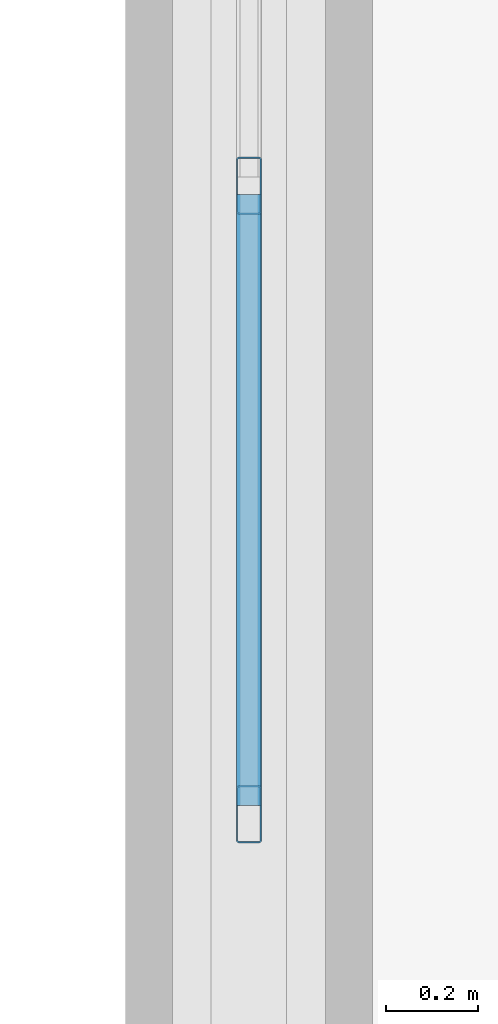
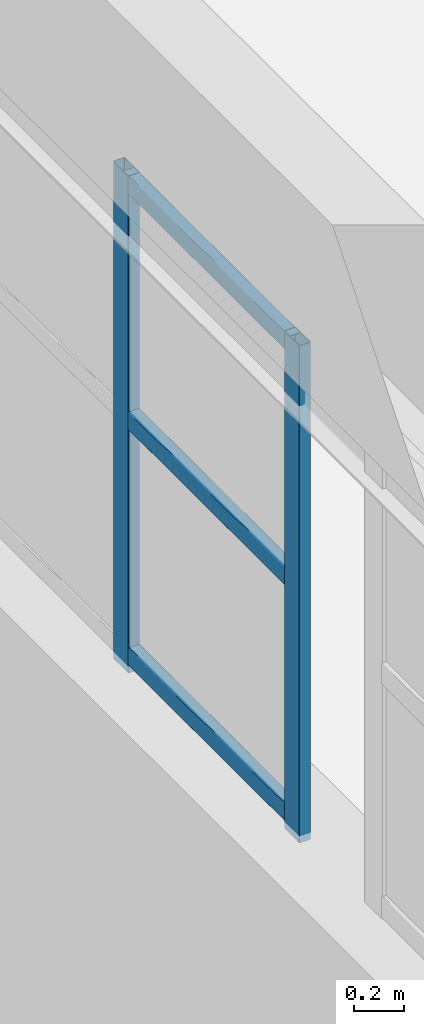
# One storey, part 43 of 97: 5 members, 1 element without a shape of its own.
"""IFC4 building model written with IfcOpenShell, lengths in metres."""

from ifc_helpers import new_model, si_unit, derived_unit, direction, frame, origin, origin_2d, place, context, subcontext, project, spatial, hollow_rectangle, extrude, material, layer, layer_set, material_profile, profile_set, type_object, element, aggregate, save


model = new_model("IFC4")

# Units and contexts
model_context = context("Model", 3, precision=1e-05, world=origin(), true_north=direction((0.0, 1.0)))
body_context = subcontext(model_context, "Body", "Model", "MODEL_VIEW")
ifc_project = project(units=[si_unit("LENGTHUNIT", "METRE"), si_unit("AREAUNIT", "SQUARE_METRE"), si_unit("VOLUMEUNIT", "CUBIC_METRE"), si_unit("PLANEANGLEUNIT", "RADIAN"), si_unit("MASSUNIT", "GRAM", prefix="KILO"), derived_unit("THERMALTRANSMITTANCEUNIT", [(si_unit("POWERUNIT", "WATT"), 1), (si_unit("LENGTHUNIT", "METRE"), -2), (si_unit("THERMODYNAMICTEMPERATUREUNIT", "KELVIN"), -1)])], contexts=[model_context])

# Site, building, storey
site_placement = place(None, origin())
site = spatial("IfcSite", under=ifc_project, at=site_placement, CompositionType="ELEMENT")
building_placement = place(site_placement, origin())
building = spatial("IfcBuilding", under=site, at=building_placement, Name="Almenara Railside Exhibition Hall", CompositionType="ELEMENT")
storey_placement = place(building_placement, frame((0.0, 0.0, 10.800048828125)))
storey = spatial("IfcBuildingStorey", under=building, at=storey_placement, Name="L02", CompositionType="ELEMENT", Elevation=10.800048828125)

# Curtain wall, members
ifc_material_1 = material(Name="Bronze-anodised aluminium and low-E double glazing", Category="aluminium")
ifc_layer = layer(ifc_material_1, 0.179931640625, Name="Bronze-anodised aluminium and low-E double glazing")
ifc_layer_set = layer_set([ifc_layer], Name="Bronze-anodised aluminium and low-E double glazing")
curtain_wall_type = type_object("IfcCurtainWallType", Name="West Hall Clerestory Curtain Wall 4200x2400", PredefinedType="NOTDEFINED", material=ifc_layer_set)
curtain_wall_placement = place(storey_placement, origin())
curtain_wall = element("IfcCurtainWall", 1, at=curtain_wall_placement, inside=storey, type_object=curtain_wall_type, Name="Curtain wall CW-CL1-018", PredefinedType="NOTDEFINED")
ifc_material_2 = material(Name="Bronze-anodised aluminium", Category="aluminium")
ifc_material_profile_1 = material_profile(ifc_material_2, hollow_rectangle(XDim=0.054931640625, YDim=0.125, WallThickness=0.0029296875, InnerFilletRadius=0.0029296875, OuterFilletRadius=0.006103515625, at=origin_2d()), Name="ALU-MUL 55x125x3")
ifc_profile_set_1 = profile_set([ifc_material_profile_1], Name="Bronze-anodised aluminium")
member_type_1 = type_object("IfcMemberType", Name="Curtain Wall Mullion 55x125x3", PredefinedType="MULLION", material=ifc_profile_set_1)
member_1_placement = place(storey_placement, frame((12.0, 102.327392578125, 4.56494140625), z_axis=(0.0, 0.0, 1.0), x_axis=(-1.0, 0.0, 0.0)))
member_1 = element("IfcMember", 2, at=member_1_placement, type_object=member_type_1, Name="CW-CL1-018 mullion 1", PredefinedType="MULLION", context=body_context, shape_type="SweptSolid", body=[
    extrude(hollow_rectangle(XDim=0.054931640625, YDim=0.125, WallThickness=0.0029296875, InnerFilletRadius=0.0029296875, OuterFilletRadius=0.006103515625, at=origin_2d()), origin(), (0.0, 0.0, 1.0), 2.43505859375),
])
member_2_placement = place(storey_placement, frame((12.0, 103.699951171875, 4.56494140625), z_axis=(0.0, 0.0, 1.0), x_axis=(-1.0, 0.0, 0.0)))
member_2 = element("IfcMember", 3, at=member_2_placement, type_object=member_type_1, Name="CW-CL1-018 mullion 2", PredefinedType="MULLION", context=body_context, shape_type="SweptSolid", body=[
    extrude(hollow_rectangle(XDim=0.054931640625, YDim=0.125, WallThickness=0.0029296875, InnerFilletRadius=0.0029296875, OuterFilletRadius=0.006103515625, at=origin_2d()), origin(), (0.0, 0.0, 1.0), 2.43505859375),
])
ifc_material_profile_2 = material_profile(ifc_material_2, hollow_rectangle(XDim=0.054931640625, YDim=0.090087890625, WallThickness=0.0029296875, InnerFilletRadius=0.0029296875, OuterFilletRadius=0.006103515625, at=origin_2d()), Name="ALU-TRN 55x90x3")
ifc_profile_set_2 = profile_set([ifc_material_profile_2], Name="Bronze-anodised aluminium")
member_type_2 = type_object("IfcMemberType", Name="Curtain Wall Transom 55x90x3", PredefinedType="USERDEFINED", material=ifc_profile_set_2)
member_3_placement = place(storey_placement, frame((12.0, 102.346923828125, 4.64501953125), z_axis=(0.0, 1.0, 0.0), x_axis=(-1.0, 0.0, 0.0)))
member_3 = element("IfcMember", 4, at=member_3_placement, type_object=member_type_2, Name="CW-CL1-018 transom 1.1", ObjectType="TRANSOM", PredefinedType="USERDEFINED", context=body_context, shape_type="SweptSolid", body=[
    extrude(hollow_rectangle(XDim=0.054931640625, YDim=0.090087890625, WallThickness=0.0029296875, InnerFilletRadius=0.0029296875, OuterFilletRadius=0.006103515625, at=origin_2d()), origin(), (0.0, 0.0, 1.0), 1.33349609375),
])
member_4_placement = place(storey_placement, frame((12.0, 102.346923828125, 5.800048828125), z_axis=(0.0, 1.0, 0.0), x_axis=(-1.0, 0.0, 0.0)))
member_4 = element("IfcMember", 5, at=member_4_placement, type_object=member_type_2, Name="CW-CL1-018 transom 1.2", ObjectType="TRANSOM", PredefinedType="USERDEFINED", context=body_context, shape_type="SweptSolid", body=[
    extrude(hollow_rectangle(XDim=0.054931640625, YDim=0.090087890625, WallThickness=0.0029296875, InnerFilletRadius=0.0029296875, OuterFilletRadius=0.006103515625, at=origin_2d()), origin(), (0.0, 0.0, 1.0), 1.33349609375),
])
member_5_placement = place(storey_placement, frame((12.0, 102.346923828125, 6.954833984375), z_axis=(0.0, 1.0, 0.0), x_axis=(-1.0, 0.0, 0.0)))
member_5 = element("IfcMember", 6, at=member_5_placement, type_object=member_type_2, Name="CW-CL1-018 transom 1.3", ObjectType="TRANSOM", PredefinedType="USERDEFINED", context=body_context, shape_type="SweptSolid", body=[
    extrude(hollow_rectangle(XDim=0.054931640625, YDim=0.090087890625, WallThickness=0.0029296875, InnerFilletRadius=0.0029296875, OuterFilletRadius=0.006103515625, at=origin_2d()), origin(), (0.0, 0.0, 1.0), 1.33349609375),
])
aggregate(curtain_wall, [member_1, member_2, member_3, member_4, member_5])

save(model, "model.ifc")
